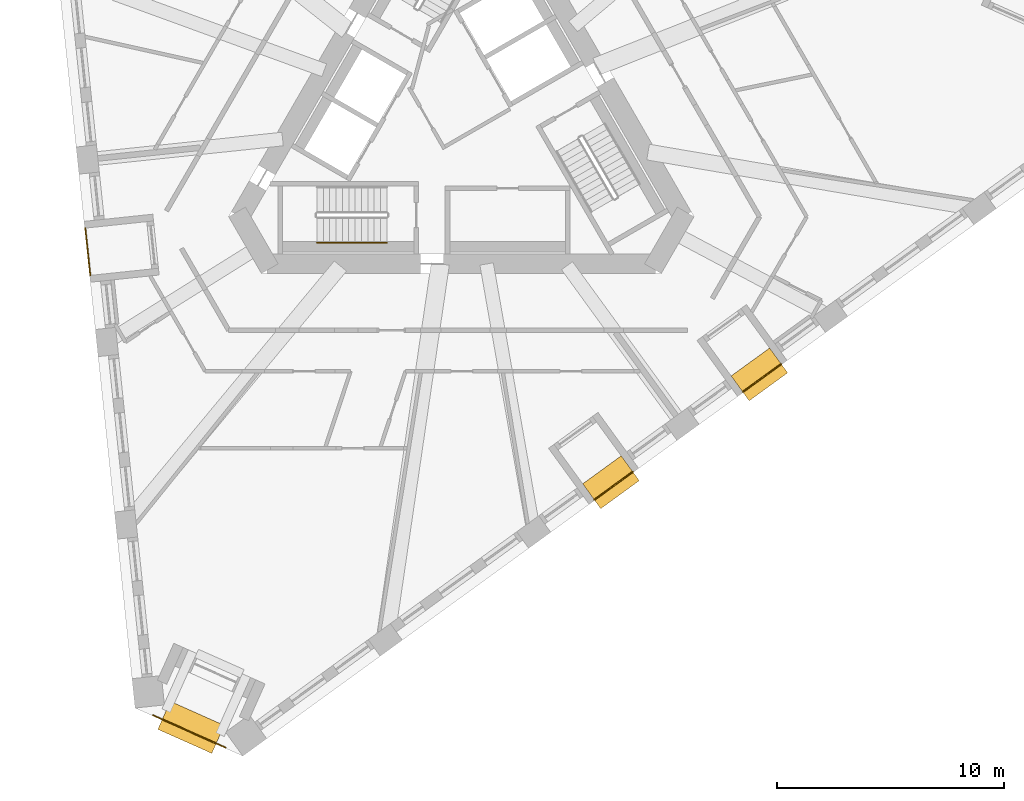
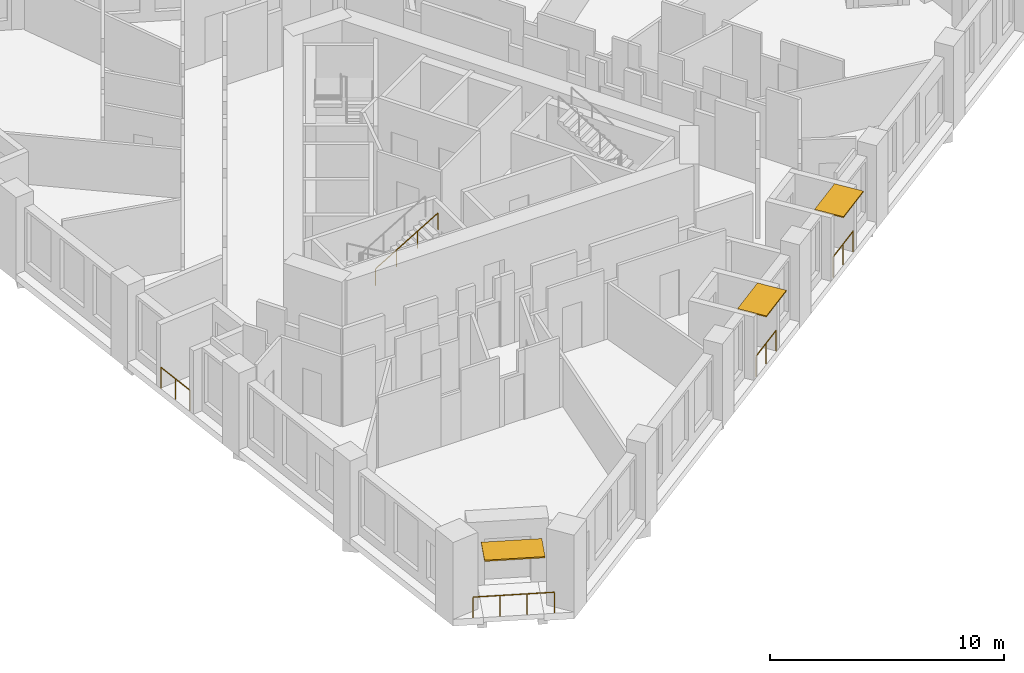
# One storey, part 10 of 14: 5 railings, 3 shading devices.
"""IFC4 building model written with IfcOpenShell, lengths in metres."""

from ifc_helpers import new_model, si_unit, direction, frame, origin, origin_2d, place, context, subcontext, project, spatial, rectangle, circle, extrude, material, layer, layer_set, type_object, element, save


model = new_model("IFC4")

# Units and contexts
model_context = context("Model", 3, precision=1e-05, world=origin(), true_north=direction((0.0, 1.0)))
body_context = subcontext(model_context, "Body", "Model", "MODEL_VIEW")
ifc_project = project(units=[si_unit("LENGTHUNIT", "METRE"), si_unit("AREAUNIT", "SQUARE_METRE"), si_unit("VOLUMEUNIT", "CUBIC_METRE"), si_unit("PLANEANGLEUNIT", "RADIAN"), si_unit("MASSUNIT", "GRAM", prefix="KILO")], contexts=[model_context])

# Site, building, storey
site_placement = place(None, origin())
site = spatial("IfcSite", under=ifc_project, at=site_placement, CompositionType="ELEMENT")
building_placement = place(site_placement, origin())
building = spatial("IfcBuilding", under=site, at=building_placement, Name="Tramontana Tower", CompositionType="ELEMENT")
storey_placement = place(building_placement, frame((0.0, 0.0, 162.800048828125)))
storey = spatial("IfcBuildingStorey", under=building, at=storey_placement, Name="L37", CompositionType="ELEMENT", Elevation=162.800048828125)

# Railings
ifc_material_1 = material(Name="Laminated glass balustrade", Category="glass")
railing_type_1 = type_object("IfcRailingType", Name="GD1 Loggia glass balustrade 1100", PredefinedType="BALUSTRADE", material=ifc_material_1)
railing_1_placement = place(storey_placement, frame((-16.56396484375, -4.751708984375, 0.0)))
element("IfcRailing", 1, at=railing_1_placement, inside=storey, type_object=railing_type_1, Name="Loggia balustrade L37 G4S0.10", PredefinedType="BALUSTRADE", context=body_context, shape_type="SweptSolid", body=[
    extrude(circle(Radius=0.02392578125, at=origin_2d()), frame((0.0, 0.0, 1.076171875), z_axis=(0.104454180193, -0.994529700029, 0.0), x_axis=(0.994529700029, 0.104454180193, 0.0)), (0.0, 0.0, 1.0), 2.09423828125),
    extrude(circle(Radius=0.02099609375, at=origin_2d()), origin(), (0.0, 0.0, 1.0), 1.052001953125),
    extrude(circle(Radius=0.02099609375, at=origin_2d()), frame((0.109375, -1.04150390625, 0.0)), (0.0, 0.0, 1.0), 1.052001953125),
    extrude(circle(Radius=0.02099609375, at=origin_2d()), frame((0.21875, -2.082763671875, 0.0)), (0.0, 0.0, 1.0), 1.052001953125),
])
for number, where, name in (
    (2, (5.85791015625, -16.719970703125, 0.0), "Loggia balustrade L37 G4S1.7"),
    (3, (12.397216796875, -11.968994140625, 0.0), "Loggia balustrade L37 G4S1.10"),
):
    element("IfcRailing", number, at=place(storey_placement, frame(where)), inside=storey, type_object=railing_type_1, Name=name, PredefinedType="BALUSTRADE", context=body_context, shape_type="SweptSolid", body=[
        extrude(circle(Radius=0.02392578125, at=origin_2d()), frame((0.0, 0.0, 1.076171875), z_axis=(0.809028366311, 0.587769599847, 0.0), x_axis=(-0.587769599847, 0.809028366311, 0.0)), (0.0, 0.0, 1.0), 2.09423828125),
        extrude(circle(Radius=0.02099609375, at=origin_2d()), origin(), (0.0, 0.0, 1.0), 1.052001953125),
        extrude(circle(Radius=0.02099609375, at=origin_2d()), frame((0.84716796875, 0.615478515625, 0.0)), (0.0, 0.0, 1.0), 1.052001953125),
        extrude(circle(Radius=0.02099609375, at=origin_2d()), frame((1.6943359375, 1.23095703125, 0.0)), (0.0, 0.0, 1.0), 1.052001953125),
    ])
railing_2_placement = place(storey_placement, frame((-10.387939453125, -27.634033203125, 0.0)))
element("IfcRailing", 4, at=railing_2_placement, inside=storey, type_object=railing_type_1, Name="Corner loggia balustrade L37 K41", PredefinedType="BALUSTRADE", context=body_context, shape_type="SweptSolid", body=[
    extrude(circle(Radius=0.02392578125, at=origin_2d()), frame((0.0, 0.0, 1.076171875), z_axis=(-0.913538066796, 0.406753242783, 0.0), x_axis=(-0.406753242783, -0.913538066796, 0.0)), (0.0, 0.0, 1.0), 3.499755859375),
    extrude(circle(Radius=0.02099609375, at=origin_2d()), origin(), (0.0, 0.0, 1.0), 1.052001953125),
    extrude(circle(Radius=0.02099609375, at=origin_2d()), frame((-1.065673828125, 0.474609375, 0.0)), (0.0, 0.0, 1.0), 1.052001953125),
    extrude(circle(Radius=0.02099609375, at=origin_2d()), frame((-2.131591796875, 0.948974609375, 0.0)), (0.0, 0.0, 1.0), 1.052001953125),
    extrude(circle(Radius=0.02099609375, at=origin_2d()), frame((-3.197265625, 1.423583984375, 0.0)), (0.0, 0.0, 1.0), 1.052001953125),
])

# Shading devices
ifc_material_2 = material(Name="Precast concrete 60 MPa", Category="concrete")
ifc_layer_1 = layer(ifc_material_2, 0.06005859375)
ifc_layer_set_1 = layer_set([ifc_layer_1], Name="SS1 Stone sunshade blade 60")
shading_device_type_1 = type_object("IfcShadingDeviceType", Name="SS1 Stone sunshade blade 60", PredefinedType="USERDEFINED", material=ifc_layer_set_1)
for number, where, z_axis, x_axis, name in (
    (5, (6.590576171875, -15.94677734375, 3.239990234375), (0.0, 0.0, 1.0), (0.809016994375, 0.587785252292, 0.0), "Sunshade L37 G4S1.7"),
    (6, (13.129638671875, -11.19580078125, 3.239990234375), (0.0, 0.0, 1.0), (0.809016994375, 0.587785252292, 0.0), "Sunshade L37 G4S1.10"),
):
    element("IfcShadingDevice", number, at=place(storey_placement, frame(where, z_axis=z_axis, x_axis=x_axis)), inside=storey, type_object=shading_device_type_1, Name=name, ObjectType="SUNSHADE", PredefinedType="USERDEFINED", context=body_context, shape_type="SweptSolid", body=[
        extrude(rectangle(XDim=2.09423828125, YDim=1.35009765625, at=origin_2d()), origin(), (0.0, 0.0, 1.0), 0.06005859375),
    ])
ifc_material_3 = material(Name="Precast concrete 60 MPa", Category="concrete")
ifc_layer_2 = layer(ifc_material_3, 0.070068359375)
ifc_layer_set_2 = layer_set([ifc_layer_2], Name="SS2 Stone sunshade blade 70")
shading_device_type_2 = type_object("IfcShadingDeviceType", Name="SS2 Stone sunshade blade 70", PredefinedType="USERDEFINED", material=ifc_layer_set_2)
shading_device_placement = place(storey_placement, frame((-11.9072265625, -26.744140625, 3.22998046875), z_axis=(0.0, 0.0, 1.0), x_axis=(-0.913545457643, 0.406736643076, 0.0)))
element("IfcShadingDevice", 7, at=shading_device_placement, inside=storey, type_object=shading_device_type_2, Name="Corner sunshade L37 K41", ObjectType="SUNSHADE", PredefinedType="USERDEFINED", context=body_context, shape_type="SweptSolid", body=[
    extrude(rectangle(XDim=2.60009765625, YDim=1.35009765625, at=origin_2d()), origin(), (0.0, 0.0, 1.0), 0.070068359375),
])

# Railing
ifc_material_4 = material(Name="Painted steel", Category="steel")
railing_type_2 = type_object("IfcRailingType", Name="STAIR HANDRAIL 900", PredefinedType="HANDRAIL", material=ifc_material_4)
railing_3_placement = place(storey_placement, frame((-6.360107421875, -5.39990234375, 2.16650390625)))
element("IfcRailing", 8, at=railing_3_placement, inside=storey, type_object=railing_type_2, Name="L37 ST2 stair handrail 2", PredefinedType="HANDRAIL", context=body_context, shape_type="SweptSolid", body=[
    extrude(circle(Radius=0.02392578125, at=origin_2d()), frame((0.0, 0.0, 0.8759765625), z_axis=(0.85927862911, 0.0, 0.511507807912), x_axis=(0.0, 1.0, 0.0)), (0.0, 0.0, 1.0), 3.58447265625),
    extrude(circle(Radius=0.02099609375, at=origin_2d()), origin(), (0.0, 0.0, 1.0), 0.851806640625),
    extrude(circle(Radius=0.02099609375, at=origin_2d()), frame((1.026611328125, 0.0, 0.611083984375)), (0.0, 0.0, 1.0), 0.851806640625),
    extrude(circle(Radius=0.02099609375, at=origin_2d()), frame((2.053466796875, 0.0, 1.222412109375)), (0.0, 0.0, 1.0), 0.851806640625),
    extrude(circle(Radius=0.02099609375, at=origin_2d()), frame((3.080078125, 0.0, 1.83349609375)), (0.0, 0.0, 1.0), 0.851806640625),
])

save(model, "model.ifc")
